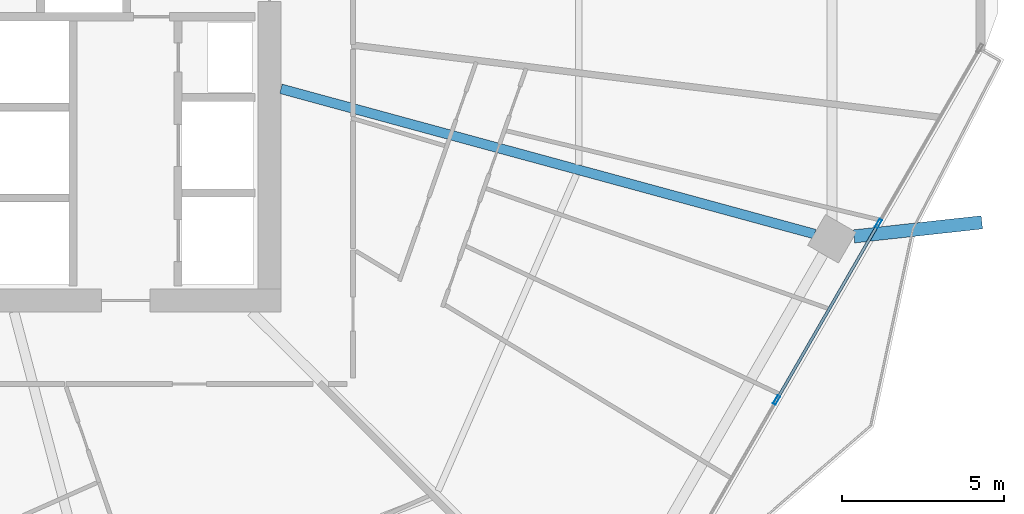
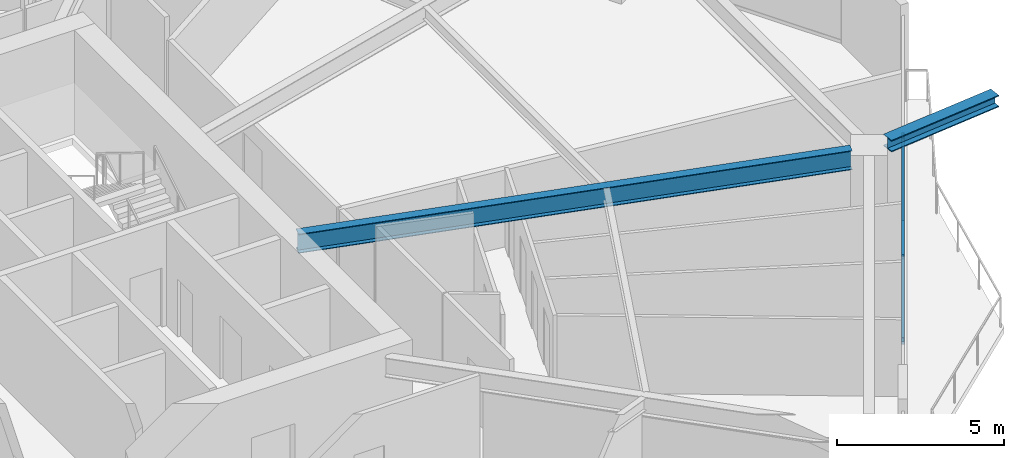
# One storey, part 11 of 32: 4 members, 2 beams, 1 element without a shape of its own.
"""IFC4 building model written with IfcOpenShell, lengths in metres."""

from ifc_helpers import new_model, si_unit, direction, frame, origin, origin_2d, place, context, subcontext, project, spatial, hollow_rectangle, i_section, extrude, material, material_profile, profile_set, type_object, element, aggregate, save


model = new_model("IFC4")

# Units and contexts
model_context = context("Model", 3, precision=1e-05, world=origin(), true_north=direction((0.0, 1.0)))
body_context = subcontext(model_context, "Body", "Model", "MODEL_VIEW")
ifc_project = project(units=[si_unit("LENGTHUNIT", "METRE"), si_unit("AREAUNIT", "SQUARE_METRE"), si_unit("VOLUMEUNIT", "CUBIC_METRE"), si_unit("PLANEANGLEUNIT", "RADIAN"), si_unit("MASSUNIT", "GRAM", prefix="KILO")], contexts=[model_context])

# Site, building, storey
site_placement = place(None, origin())
site = spatial("IfcSite", under=ifc_project, at=site_placement, CompositionType="ELEMENT")
building_placement = place(site_placement, origin())
building = spatial("IfcBuilding", under=site, at=building_placement, Name="Zuhravey Tower", CompositionType="ELEMENT")
storey_placement = place(building_placement, frame((0.0, 0.0, 119.0)))
storey = spatial("IfcBuildingStorey", under=building, at=storey_placement, Name="L29", CompositionType="ELEMENT", Elevation=119.0)

# Curtain wall, members
ifc_material_1 = material(Name="Thermally broken anodised aluminium", Category="aluminium")
curtain_wall_type = type_object("IfcCurtainWallType", Name="Zone 1-2 Residential Curtain Wall CW3", PredefinedType="NOTDEFINED", material=ifc_material_1)
curtain_wall_placement = place(storey_placement, origin())
curtain_wall = element("IfcCurtainWall", 1, at=curtain_wall_placement, inside=storey, type_object=curtain_wall_type, Name="L29 CW3 CW-L29-F6-1", PredefinedType="NOTDEFINED")
ifc_material_2 = material(Name="Anodised aluminium", Category="aluminium")
ifc_material_profile_1 = material_profile(ifc_material_2, hollow_rectangle(XDim=0.090087890625, YDim=0.284912109375, WallThickness=0.0048828125, at=origin_2d()), Name="ALU-RHS-90x285x5")
ifc_profile_set_1 = profile_set([ifc_material_profile_1], Name="Anodised aluminium")
member_type_1 = type_object("IfcMemberType", Name="Curtain-Wall Mullion 90x180", PredefinedType="MULLION", material=ifc_profile_set_1)
member_1_placement = place(storey_placement, frame((65.326904296875, 24.87890625, 0.0), z_axis=(0.0, 0.0, 1.0), x_axis=(0.866026097028, -0.499998799264, 0.0)))
member_1 = element("IfcMember", 2, at=member_1_placement, type_object=member_type_1, Name="CW3 mullion 2", PredefinedType="MULLION", context=body_context, shape_type="SweptSolid", body=[
    extrude(hollow_rectangle(XDim=0.090087890625, YDim=0.284912109375, WallThickness=0.0048828125, at=origin_2d()), origin(), (0.0, 0.0, 1.0), 3.1220703125),
])
member_2_placement = place(storey_placement, frame((62.175537109375, 19.420166015625, 0.0), z_axis=(0.0, 0.0, 1.0), x_axis=(0.866026097028, -0.499998799264, 0.0)))
member_2 = element("IfcMember", 3, at=member_2_placement, type_object=member_type_1, Name="CW3 mullion 3", PredefinedType="MULLION", context=body_context, shape_type="SweptSolid", body=[
    extrude(hollow_rectangle(XDim=0.090087890625, YDim=0.284912109375, WallThickness=0.0048828125, at=origin_2d()), origin(), (0.0, 0.0, 1.0), 3.1220703125),
])
ifc_material_profile_2 = material_profile(ifc_material_2, hollow_rectangle(XDim=0.090087890625, YDim=0.14990234375, WallThickness=0.0048828125, at=origin_2d()), Name="ALU-RHS-90x150x5")
ifc_profile_set_2 = profile_set([ifc_material_profile_2], Name="Anodised aluminium")
member_type_2 = type_object("IfcMemberType", Name="Curtain-Wall Transom 90x150", PredefinedType="USERDEFINED", material=ifc_profile_set_2)
member_3_placement = place(storey_placement, frame((65.304443359375, 24.83984375, 0.044921875), z_axis=(-0.499993440145, -0.866029191085, 0.0), x_axis=(0.866029191085, -0.499993440145, 0.0)))
member_3 = element("IfcMember", 4, at=member_3_placement, type_object=member_type_2, Name="CW3 transom 2.1", ObjectType="TRANSOM", PredefinedType="USERDEFINED", context=body_context, shape_type="SweptSolid", body=[
    extrude(hollow_rectangle(XDim=0.090087890625, YDim=0.14990234375, WallThickness=0.0048828125, at=origin_2d()), origin(), (0.0, 0.0, 1.0), 6.212890625),
])
member_4_placement = place(storey_placement, frame((65.304443359375, 24.83984375, 3.076904296875), z_axis=(-0.499993440145, -0.866029191085, 0.0), x_axis=(0.866029191085, -0.499993440145, 0.0)))
member_4 = element("IfcMember", 5, at=member_4_placement, type_object=member_type_2, Name="CW3 transom 2.2", ObjectType="TRANSOM", PredefinedType="USERDEFINED", context=body_context, shape_type="SweptSolid", body=[
    extrude(hollow_rectangle(XDim=0.090087890625, YDim=0.14990234375, WallThickness=0.0048828125, at=origin_2d()), origin(), (0.0, 0.0, 1.0), 6.212890625),
])
aggregate(curtain_wall, [member_1, member_2, member_3, member_4])

# Beams
ifc_material_3 = material(Name="Steel SM460", Category="steel")
ifc_material_profile_3 = material_profile(ifc_material_3, i_section(OverallWidth=0.406982421875, OverallDepth=0.427978515625, WebThickness=0.02001953125, FlangeThickness=0.034912109375, at=origin_2d()), Name="H-428x407x20x35")
ifc_profile_set_3 = profile_set([ifc_material_profile_3], Name="Steel SM460")
beam_type_1 = type_object("IfcBeamType", Name="Exoskeleton Node Tie Beam H428x407", PredefinedType="BEAM", material=ifc_profile_set_3)
beam_1_placement = place(storey_placement, frame((64.5712890625, 24.4833984375, 3.3359375), z_axis=(0.994005957907, 0.109325914797, 0.0), x_axis=(-0.109325914797, 0.994005957907, 0.0)))
element("IfcBeam", 6, at=beam_1_placement, inside=storey, type_object=beam_type_1, Name="L29 Exoskeleton Node Tie NT1-12", PredefinedType="BEAM", context=body_context, shape_type="SweptSolid", body=[
    extrude(i_section(OverallWidth=0.406982421875, OverallDepth=0.427978515625, WebThickness=0.02001953125, FlangeThickness=0.034912109375, at=origin_2d()), origin(), (0.0, 0.0, 1.0), 3.97509765625),
])
ifc_material_4 = material(Name="Steel SM355", Category="steel")
ifc_material_profile_4 = material_profile(ifc_material_4, i_section(OverallWidth=0.300048828125, OverallDepth=0.699951171875, WebThickness=0.012939453125, FlangeThickness=0.02392578125, at=origin_2d()), Name="H-700x300x13x24")
ifc_profile_set_4 = profile_set([ifc_material_profile_4], Name="Steel SM355")
beam_type_2 = type_object("IfcBeamType", Name="Radial Primary Girder H700x300", PredefinedType="BEAM", material=ifc_profile_set_4)
beam_2_placement = place(storey_placement, frame((46.85302734375, 29.045654296875, 3.199951171875), z_axis=(0.964893166225, -0.262642680791, 0.0), x_axis=(0.262642680791, 0.964893166225, 0.0)))
element("IfcBeam", 7, at=beam_2_placement, inside=storey, type_object=beam_type_2, Name="L29 RG1 BM-L29-RAD-12", PredefinedType="BEAM", context=body_context, shape_type="SweptSolid", body=[
    extrude(i_section(OverallWidth=0.300048828125, OverallDepth=0.699951171875, WebThickness=0.012939453125, FlangeThickness=0.02392578125, at=origin_2d()), origin(), (0.0, 0.0, 1.0), 17.102783203125),
])

save(model, "model.ifc")
